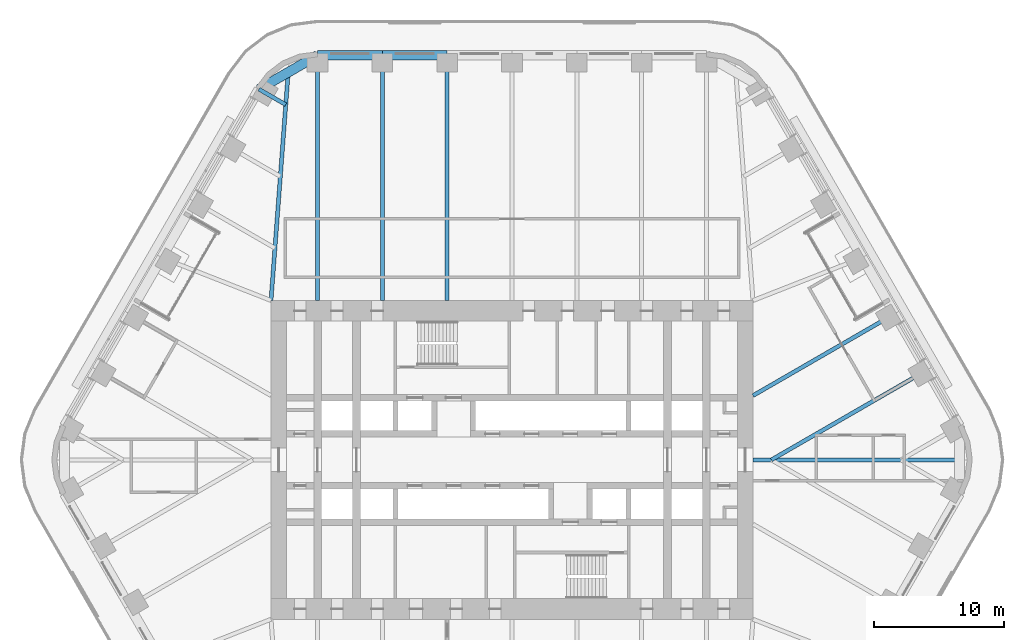
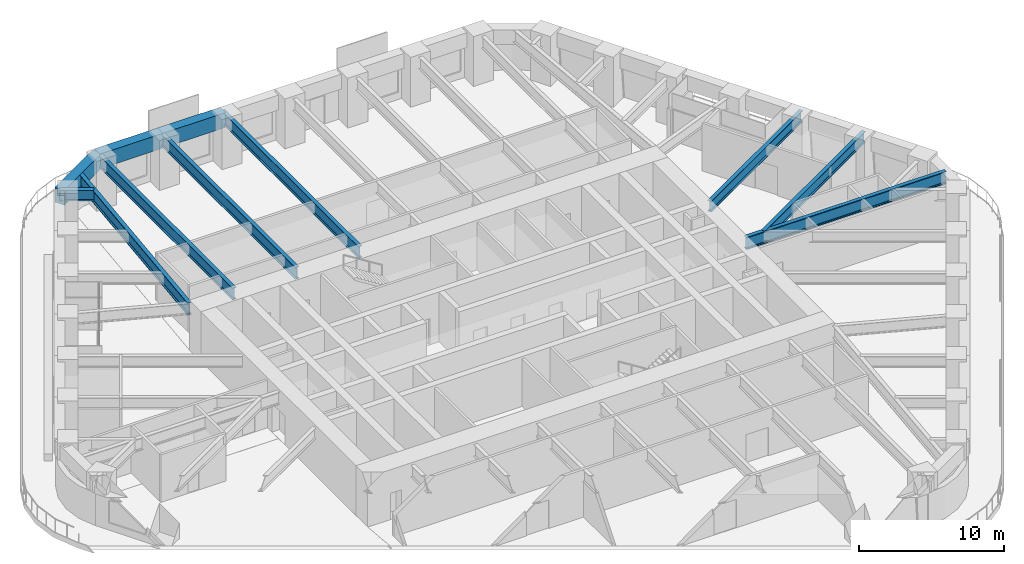
# One storey, part 10 of 24: 11 beams.
"""IFC4 building model written with IfcOpenShell, lengths in metres."""

from ifc_helpers import new_model, si_unit, direction, frame, origin, origin_2d, place, context, subcontext, project, spatial, rectangle, i_section, extrude, material, material_profile, profile_set, type_object, element, save


model = new_model("IFC4")

# Units and contexts
model_context = context("Model", 3, precision=1e-05, world=origin(), true_north=direction((0.0, 1.0)))
body_context = subcontext(model_context, "Body", "Model", "MODEL_VIEW")
ifc_project = project(units=[si_unit("LENGTHUNIT", "METRE"), si_unit("AREAUNIT", "SQUARE_METRE"), si_unit("VOLUMEUNIT", "CUBIC_METRE"), si_unit("PLANEANGLEUNIT", "RADIAN"), si_unit("MASSUNIT", "GRAM", prefix="KILO")], contexts=[model_context])

# Site, building, storey
site_placement = place(None, origin())
site = spatial("IfcSite", under=ifc_project, at=site_placement, CompositionType="ELEMENT")
building_placement = place(site_placement, origin())
building = spatial("IfcBuilding", under=site, at=building_placement, Name="Tarfa Lantern Tower", CompositionType="ELEMENT")
storey_placement = place(building_placement, frame((0.0, 0.0, 178.300048828125)))
storey = spatial("IfcBuildingStorey", under=building, at=storey_placement, Name="L40", CompositionType="ELEMENT", Elevation=178.300048828125)

# Beams
ifc_material_1 = material(Name="Concrete C80/95", Category="concrete")
ifc_material_profile_1 = material_profile(ifc_material_1, rectangle(XDim=0.75, YDim=1.25, at=origin_2d()), Name="RC 750x1250")
ifc_profile_set_1 = profile_set([ifc_material_profile_1], Name="Concrete C80/95")
beam_type_1 = type_object("IfcBeamType", Name="EB2 RC 750x1250", PredefinedType="SPANDREL", material=ifc_profile_set_1)
for number, where, z_axis, x_axis, name in (
    (1, (-5.003662109375, 31.219970703125, 3.375), (-1.0, 0.0, 0.0), (0.0, -1.0, 0.0), "Edge beam N4"),
    (2, (-10.00732421875, 31.219970703125, 3.375), (-1.0, 0.0, 0.0), (0.0, -1.0, 0.0), "Edge beam N5"),
):
    element("IfcBeam", number, at=place(storey_placement, frame(where, z_axis=z_axis, x_axis=x_axis)), inside=storey, type_object=beam_type_1, Name=name, PredefinedType="SPANDREL", context=body_context, shape_type="SweptSolid", body=[
        extrude(rectangle(XDim=0.75, YDim=1.25, at=origin_2d()), origin(), (0.0, 0.0, 1.0), 5.003662109375),
    ])
beam_1_placement = place(storey_placement, frame((-15.010986328125, 31.219970703125, 3.375), z_axis=(-0.86604150238, -0.499972115377, 0.0), x_axis=(0.499972115377, -0.86604150238, 0.0)))
element("IfcBeam", 3, at=beam_1_placement, inside=storey, type_object=beam_type_1, Name="Edge beam N6", PredefinedType="SPANDREL", context=body_context, shape_type="SweptSolid", body=[
    extrude(rectangle(XDim=0.75, YDim=1.25, at=origin_2d()), origin(), (0.0, 0.0, 1.0), 5.219970703125),
])
ifc_material_2 = material(Name="Steel S460M", Category="steel")
ifc_material_profile_2 = material_profile(ifc_material_2, i_section(OverallWidth=0.302001953125, OverallDepth=1.008056640625, WebThickness=0.02099609375, FlangeThickness=0.0400390625, FilletRadius=0.030029296875, at=origin_2d()), Name="UB1016x305x349")
ifc_profile_set_2 = profile_set([ifc_material_profile_2], Name="Steel S460M")
beam_type_2 = type_object("IfcBeamType", Name="UB1016x305x349", PredefinedType="BEAM", material=ifc_profile_set_2)
for number, where, z_axis, x_axis, name in (
    (4, (-5.003662109375, 31.219970703125, 3.495849609375), (0.0, -1.0, 0.0), (1.0, 0.0, 0.0), "Floor beam N4"),
    (5, (-10.00732421875, 31.219970703125, 3.495849609375), (0.0, -1.0, 0.0), (1.0, 0.0, 0.0), "Floor beam N5"),
    (6, (-15.010986328125, 31.219970703125, 3.495849609375), (0.0, -1.0, 0.0), (1.0, 0.0, 0.0), "Floor beam N6"),
):
    element("IfcBeam", number, at=place(storey_placement, frame(where, z_axis=z_axis, x_axis=x_axis)), inside=storey, type_object=beam_type_2, Name=name, PredefinedType="BEAM", context=body_context, shape_type="SweptSolid", body=[
        extrude(i_section(OverallWidth=0.302001953125, OverallDepth=1.008056640625, WebThickness=0.02099609375, FlangeThickness=0.0400390625, FilletRadius=0.030029296875, at=origin_2d()), origin(), (0.0, 0.0, 1.0), 18.919921875),
    ])
ifc_material_profile_3 = material_profile(ifc_material_2, i_section(OverallWidth=0.30859375, OverallDepth=1.036376953125, WebThickness=0.030029296875, FlangeThickness=0.05419921875, FilletRadius=0.030029296875, at=origin_2d()), Name="UB1016x305x487")
ifc_profile_set_3 = profile_set([ifc_material_profile_3], Name="Steel S460M")
beam_type_3 = type_object("IfcBeamType", Name="UB1016x305x487", PredefinedType="BEAM", material=ifc_profile_set_3)
beam_2_placement = place(storey_placement, frame((18.60009765625, 0.0, 3.481689453125), z_axis=(1.0, 0.0, 0.0), x_axis=(0.0, 1.0, 0.0)))
element("IfcBeam", 7, at=beam_2_placement, inside=storey, type_object=beam_type_3, Name="Hip girder E", PredefinedType="BEAM", context=body_context, shape_type="SweptSolid", body=[
    extrude(i_section(OverallWidth=0.30859375, OverallDepth=1.036376953125, WebThickness=0.030029296875, FlangeThickness=0.05419921875, FilletRadius=0.030029296875, at=origin_2d()), origin(), (0.0, 0.0, 1.0), 15.94287109375),
])
beam_3_placement = place(storey_placement, frame((-18.60009765625, 12.300048828125, 3.481689453125), z_axis=(0.075211516041, 0.99716760269, 0.0), x_axis=(-0.99716760269, 0.075211516041, 0.0)))
element("IfcBeam", 8, at=beam_3_placement, inside=storey, type_object=beam_type_3, Name="Hip girder NW", PredefinedType="BEAM", context=body_context, shape_type="SweptSolid", body=[
    extrude(i_section(OverallWidth=0.30859375, OverallDepth=1.036376953125, WebThickness=0.030029296875, FlangeThickness=0.05419921875, FilletRadius=0.030029296875, at=origin_2d()), origin(), (0.0, 0.0, 1.0), 17.6650390625),
])
ifc_material_profile_4 = material_profile(ifc_material_2, i_section(OverallWidth=0.305419921875, OverallDepth=0.91845703125, WebThickness=0.017333984375, FlangeThickness=0.02783203125, FilletRadius=0.01904296875, at=origin_2d()), Name="UB914x305x253")
ifc_profile_set_4 = profile_set([ifc_material_profile_4], Name="Steel S460M")
beam_type_4 = type_object("IfcBeamType", Name="UB914x305x253", PredefinedType="BEAM", material=ifc_profile_set_4)
beam_4_placement = place(storey_placement, frame((32.041015625, 6.943359375, 3.540771484375), z_axis=(-0.866023096411, -0.500003996466, 0.0), x_axis=(0.500003996466, -0.866023096411, 0.0)))
element("IfcBeam", 9, at=beam_4_placement, inside=storey, type_object=beam_type_4, Name="Floor beam NE1", PredefinedType="BEAM", context=body_context, shape_type="SweptSolid", body=[
    extrude(i_section(OverallWidth=0.305419921875, OverallDepth=0.91845703125, WebThickness=0.017333984375, FlangeThickness=0.02783203125, FilletRadius=0.01904296875, at=origin_2d()), origin(), (0.0, 0.0, 1.0), 13.88671875),
])
beam_5_placement = place(storey_placement, frame((29.5390625, 11.276611328125, 3.540771484375), z_axis=(-0.866023362995, -0.500003534735, 0.0), x_axis=(0.500003534735, -0.866023362995, 0.0)))
element("IfcBeam", 10, at=beam_5_placement, inside=storey, type_object=beam_type_4, Name="Floor beam NE2", PredefinedType="BEAM", context=body_context, shape_type="SweptSolid", body=[
    extrude(i_section(OverallWidth=0.305419921875, OverallDepth=0.91845703125, WebThickness=0.017333984375, FlangeThickness=0.02783203125, FilletRadius=0.01904296875, at=origin_2d()), origin(), (0.0, 0.0, 1.0), 12.63134765625),
])
beam_6_placement = place(storey_placement, frame((-19.53173828125, 28.610107421875, 3.540771484375), z_axis=(0.865998640954, -0.500046351717, 0.0), x_axis=(0.500046351717, 0.865998640954, 0.0)))
element("IfcBeam", 11, at=beam_6_placement, inside=storey, type_object=beam_type_4, Name="Floor beam NW0", PredefinedType="BEAM", context=body_context, shape_type="SweptSolid", body=[
    extrude(i_section(OverallWidth=0.305419921875, OverallDepth=0.91845703125, WebThickness=0.017333984375, FlangeThickness=0.02783203125, FilletRadius=0.01904296875, at=origin_2d()), origin(), (0.0, 0.0, 1.0), 2.392333984375),
])

save(model, "model.ifc")
